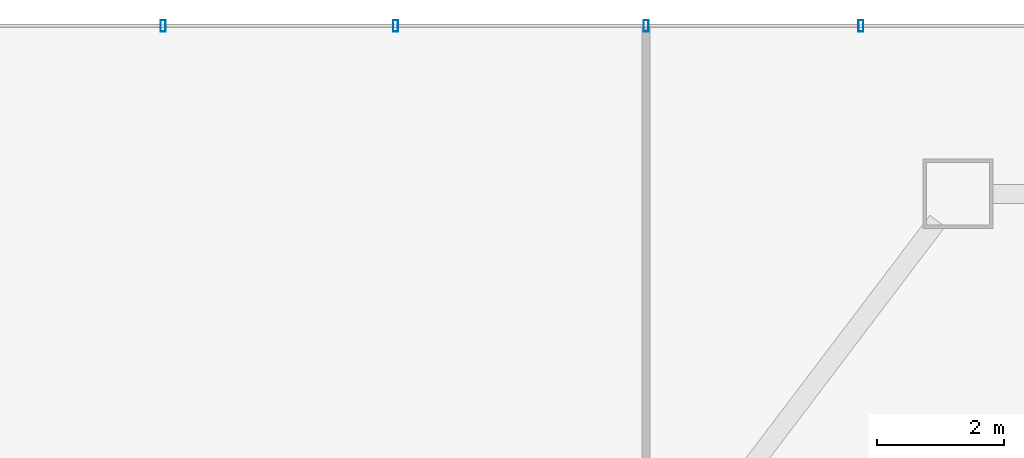
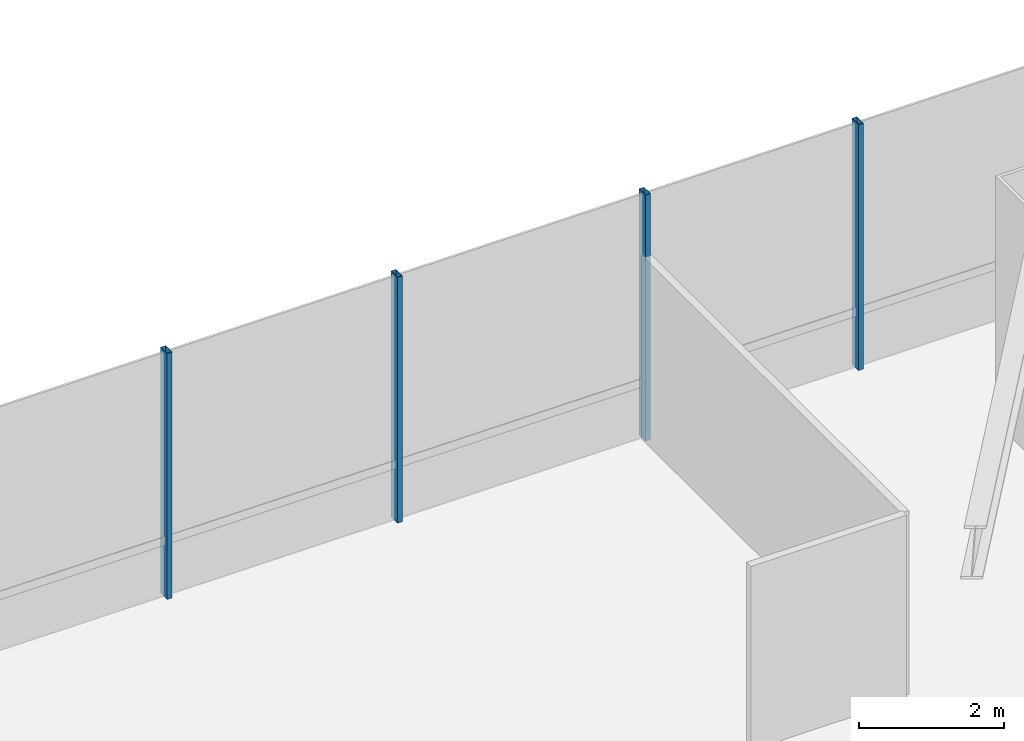
# One storey, part 21 of 43: 4 members, 1 element without a shape of its own.
"""IFC4 building model written with IfcOpenShell, lengths in metres."""

from ifc_helpers import new_model, si_unit, direction, frame, origin, origin_2d, place, context, subcontext, project, spatial, hollow_rectangle, extrude, material, layer, layer_set, material_profile, profile_set, type_object, element, aggregate, save


model = new_model("IFC4")

# Units and contexts
model_context = context("Model", 3, precision=1e-05, world=origin(), true_north=direction((0.0, 1.0)))
body_context = subcontext(model_context, "Body", "Model", "MODEL_VIEW")
ifc_project = project(units=[si_unit("LENGTHUNIT", "METRE"), si_unit("AREAUNIT", "SQUARE_METRE"), si_unit("VOLUMEUNIT", "CUBIC_METRE"), si_unit("PLANEANGLEUNIT", "RADIAN"), si_unit("MASSUNIT", "GRAM", prefix="KILO")], contexts=[model_context])

# Site, building, storey
site_placement = place(None, origin())
site = spatial("IfcSite", under=ifc_project, at=site_placement, CompositionType="ELEMENT")
building_placement = place(site_placement, origin())
building = spatial("IfcBuilding", under=site, at=building_placement, Name="Zarrinselat Tower", CompositionType="ELEMENT")
storey_placement = place(building_placement, frame((0.0, 0.0, 5.10009765625)))
storey = spatial("IfcBuildingStorey", under=building, at=storey_placement, Name="L01", CompositionType="ELEMENT", Elevation=5.10009765625)

# Curtain wall, members
ifc_material_1 = material(Name="Extruded Aluminium Alloy EN AW-6063 T6", Category="aluminium")
ifc_layer = layer(ifc_material_1, 0.2099609375)
ifc_layer_set = layer_set([ifc_layer], Name="Extruded Aluminium Alloy EN AW-6063 T6")
curtain_wall_type = type_object("IfcCurtainWallType", Name="CWS-POD", PredefinedType="NOTDEFINED", material=ifc_layer_set)
curtain_wall_placement = place(storey_placement, origin())
curtain_wall = element("IfcCurtainWall", 1, at=curtain_wall_placement, inside=storey, type_object=curtain_wall_type, Name="L01 Unitised Curtain Wall CW-L01-F5", PredefinedType="NOTDEFINED")
ifc_material_2 = material(Name="Extruded Aluminium Alloy EN AW-6063 T6", Category="aluminium")
ifc_material_profile = material_profile(ifc_material_2, hollow_rectangle(XDim=0.080078125, YDim=0.179931640625, WallThickness=0.0048828125, at=origin_2d()), Name="RHS 180x80x5")
ifc_profile_set = profile_set([ifc_material_profile], Name="Extruded Aluminium Alloy EN AW-6063 T6")
member_type = type_object("IfcMemberType", Name="MEM-CW-MUL", PredefinedType="MULLION", material=ifc_profile_set)
member_1_placement = place(storey_placement, frame((27.389892578125, 52.199951171875, 0.0), z_axis=(0.0, 0.0, 1.0), x_axis=(-1.0, 0.0, 0.0)))
member_1 = element("IfcMember", 2, at=member_1_placement, type_object=member_type, Name="CW-L01-F5 Mullion 13", PredefinedType="MULLION", context=body_context, shape_type="SweptSolid", body=[
    extrude(hollow_rectangle(XDim=0.080078125, YDim=0.179931640625, WallThickness=0.0048828125, at=origin_2d()), origin(), (0.0, 0.0, 1.0), 4.139892578125),
])
member_2_placement = place(storey_placement, frame((24.0, 52.199951171875, 0.0), z_axis=(0.0, 0.0, 1.0), x_axis=(-1.0, 0.0, 0.0)))
member_2 = element("IfcMember", 3, at=member_2_placement, type_object=member_type, Name="CW-L01-F5 Mullion 14", PredefinedType="MULLION", context=body_context, shape_type="SweptSolid", body=[
    extrude(hollow_rectangle(XDim=0.080078125, YDim=0.179931640625, WallThickness=0.0048828125, at=origin_2d()), origin(), (0.0, 0.0, 1.0), 4.139892578125),
])
member_3_placement = place(storey_placement, frame((20.050048828125, 52.199951171875, 0.0), z_axis=(0.0, 0.0, 1.0), x_axis=(-1.0, 0.0, 0.0)))
member_3 = element("IfcMember", 4, at=member_3_placement, type_object=member_type, Name="CW-L01-F5 Mullion 15", PredefinedType="MULLION", context=body_context, shape_type="SweptSolid", body=[
    extrude(hollow_rectangle(XDim=0.080078125, YDim=0.179931640625, WallThickness=0.0048828125, at=origin_2d()), origin(), (0.0, 0.0, 1.0), 4.139892578125),
])
member_4_placement = place(storey_placement, frame((16.3798828125, 52.199951171875, 0.0), z_axis=(0.0, 0.0, 1.0), x_axis=(-1.0, 0.0, 0.0)))
member_4 = element("IfcMember", 5, at=member_4_placement, type_object=member_type, Name="CW-L01-F5 Mullion 16", PredefinedType="MULLION", context=body_context, shape_type="SweptSolid", body=[
    extrude(hollow_rectangle(XDim=0.080078125, YDim=0.179931640625, WallThickness=0.0048828125, at=origin_2d()), origin(), (0.0, 0.0, 1.0), 4.139892578125),
])
aggregate(curtain_wall, [member_1, member_2, member_3, member_4])

save(model, "model.ifc")
